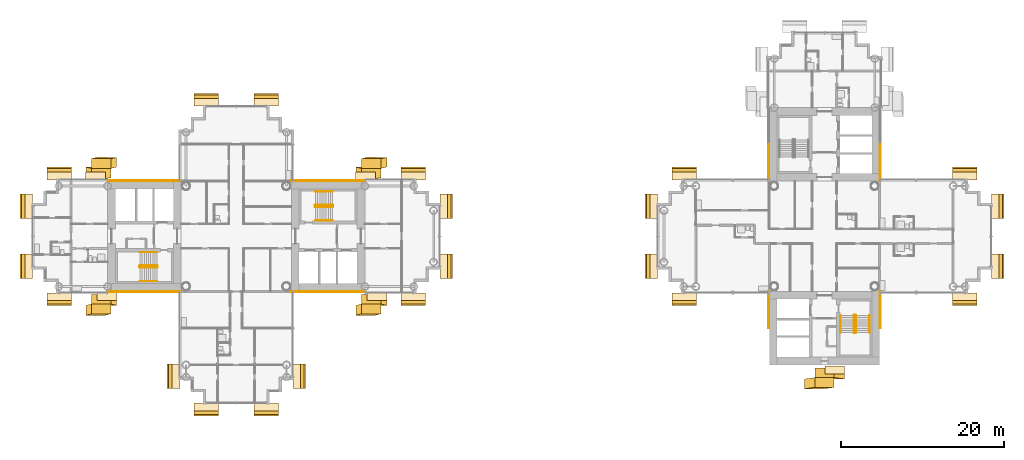
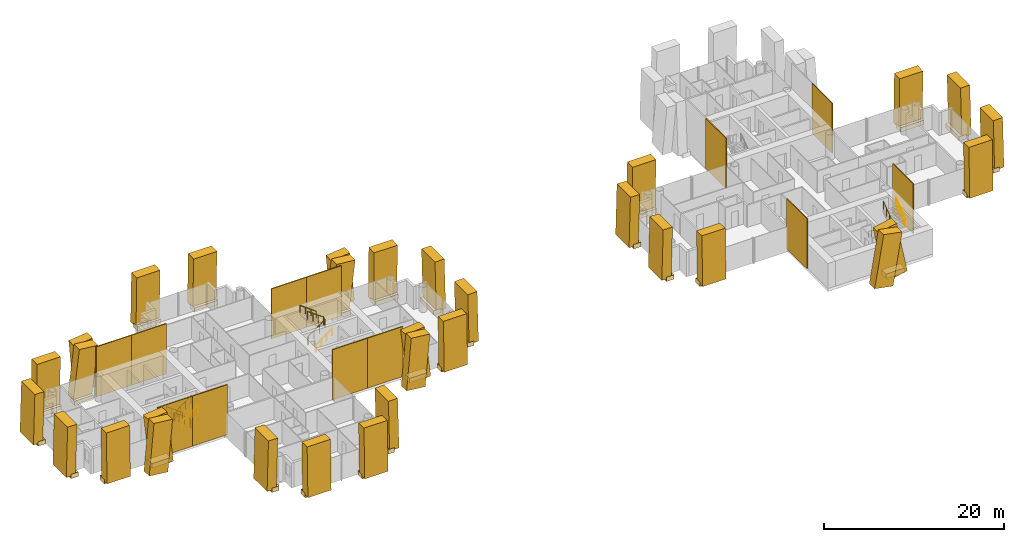
# One storey, part 19 of 21: 71 coverings, 9 railings.
"""IFC4 building model written with IfcOpenShell, lengths in metres."""

from ifc_helpers import new_model, si_unit, direction, frame, origin, origin_2d, place, context, subcontext, project, spatial, rectangle, circle, extrude, material, layer, layer_set, material_profile, profile_set, type_object, element, save


model = new_model("IFC4")

# Units and contexts
model_context = context("Model", 3, precision=1e-05, world=origin(), true_north=direction((0.0, 1.0)))
body_context = subcontext(model_context, "Body", "Model", "MODEL_VIEW")
ifc_project = project(units=[si_unit("LENGTHUNIT", "METRE"), si_unit("AREAUNIT", "SQUARE_METRE"), si_unit("VOLUMEUNIT", "CUBIC_METRE"), si_unit("PLANEANGLEUNIT", "RADIAN"), si_unit("MASSUNIT", "GRAM", prefix="KILO")], contexts=[model_context])

# Site, building, storey
site_placement = place(None, origin())
site = spatial("IfcSite", under=ifc_project, at=site_placement, CompositionType="ELEMENT")
building_placement = place(site_placement, origin())
building = spatial("IfcBuilding", under=site, at=building_placement, Name="Ipe Terrace Towers", CompositionType="ELEMENT")
storey_placement = place(building_placement, frame((0.0, 0.0, 93.60009765625)))
storey = spatial("IfcBuildingStorey", under=building, at=storey_placement, Name="L25", CompositionType="ELEMENT", Elevation=93.60009765625)

# Coverings
ifc_material_1 = material(Name="Concrete C50/60 precast, buff finish", Category="concrete")
ifc_layer = layer(ifc_material_1, 0.1201171875)
ifc_layer_set = layer_set([ifc_layer], Name="STONE CORE CLADDING 120")
covering_type_1 = type_object("IfcCoveringType", Name="STONE CORE CLADDING 120", PredefinedType="CLADDING", material=ifc_layer_set)
covering_1_placement = place(storey_placement, frame((-49.5009765625, -6.81005859375, 0.0), z_axis=(0.0, 0.0, 1.0), x_axis=(1.0, 0.0, 0.0)))
element("IfcCovering", 1, at=covering_1_placement, inside=storey, type_object=covering_type_1, Name="stone core cladding", PredefinedType="CLADDING", context=body_context, shape_type="SweptSolid", body=[
    extrude(rectangle(XDim=4.5009765625, YDim=0.1201171875, at=origin_2d()), origin(), (0.0, 0.0, 1.0), 6.800048828125),
])
covering_2_placement = place(storey_placement, frame((-45.0, -6.81005859375, 0.0), z_axis=(0.0, 0.0, 1.0), x_axis=(1.0, 0.0, 0.0)))
element("IfcCovering", 2, at=covering_2_placement, inside=storey, type_object=covering_type_1, Name="stone core cladding", PredefinedType="CLADDING", context=body_context, shape_type="SweptSolid", body=[
    extrude(rectangle(XDim=4.5, YDim=0.1201171875, at=origin_2d()), origin(), (0.0, 0.0, 1.0), 6.800048828125),
])
covering_3_placement = place(storey_placement, frame((-49.5009765625, 6.81005859375, 0.0), z_axis=(0.0, 0.0, 1.0), x_axis=(-1.0, 0.0, 0.0)))
element("IfcCovering", 3, at=covering_3_placement, inside=storey, type_object=covering_type_1, Name="stone core cladding", PredefinedType="CLADDING", context=body_context, shape_type="SweptSolid", body=[
    extrude(rectangle(XDim=4.5009765625, YDim=0.1201171875, at=origin_2d()), origin(), (0.0, 0.0, 1.0), 6.800048828125),
])
for number, where, z_axis, x_axis, name in (
    (4, (-45.0, 6.81005859375, 0.0), (0.0, 0.0, 1.0), (-1.0, 0.0, 0.0), "stone core cladding"),
    (5, (-27.0, -6.81005859375, 0.0), (0.0, 0.0, 1.0), (1.0, 0.0, 0.0), "stone core cladding"),
):
    element("IfcCovering", number, at=place(storey_placement, frame(where, z_axis=z_axis, x_axis=x_axis)), inside=storey, type_object=covering_type_1, Name=name, PredefinedType="CLADDING", context=body_context, shape_type="SweptSolid", body=[
        extrude(rectangle(XDim=4.5, YDim=0.1201171875, at=origin_2d()), origin(), (0.0, 0.0, 1.0), 6.800048828125),
    ])
covering_4_placement = place(storey_placement, frame((-22.4990234375, -6.81005859375, 0.0), z_axis=(0.0, 0.0, 1.0), x_axis=(1.0, 0.0, 0.0)))
element("IfcCovering", 6, at=covering_4_placement, inside=storey, type_object=covering_type_1, Name="stone core cladding", PredefinedType="CLADDING", context=body_context, shape_type="SweptSolid", body=[
    extrude(rectangle(XDim=4.5009765625, YDim=0.1201171875, at=origin_2d()), origin(), (0.0, 0.0, 1.0), 6.800048828125),
])
covering_5_placement = place(storey_placement, frame((-27.0, 6.81005859375, 0.0), z_axis=(0.0, 0.0, 1.0), x_axis=(-1.0, 0.0, 0.0)))
element("IfcCovering", 7, at=covering_5_placement, inside=storey, type_object=covering_type_1, Name="stone core cladding", PredefinedType="CLADDING", context=body_context, shape_type="SweptSolid", body=[
    extrude(rectangle(XDim=4.5, YDim=0.1201171875, at=origin_2d()), origin(), (0.0, 0.0, 1.0), 6.800048828125),
])
covering_6_placement = place(storey_placement, frame((-22.4990234375, 6.81005859375, 0.0), z_axis=(0.0, 0.0, 1.0), x_axis=(-1.0, 0.0, 0.0)))
element("IfcCovering", 8, at=covering_6_placement, inside=storey, type_object=covering_type_1, Name="stone core cladding", PredefinedType="CLADDING", context=body_context, shape_type="SweptSolid", body=[
    extrude(rectangle(XDim=4.5009765625, YDim=0.1201171875, at=origin_2d()), origin(), (0.0, 0.0, 1.0), 6.800048828125),
])
for number, where, z_axis, x_axis, name in (
    (9, (29.18994140625, -9.0, 0.0), (0.0, 0.0, 1.0), (0.0, -1.0, 0.0), "stone core cladding"),
    (10, (29.18994140625, 9.0, 0.0), (0.0, 0.0, 1.0), (0.0, -1.0, 0.0), "stone core cladding"),
    (11, (42.81005859375, -9.0, 0.0), (0.0, 0.0, 1.0), (0.0, 1.0, 0.0), "stone core cladding"),
    (12, (42.81005859375, 9.0, 0.0), (0.0, 0.0, 1.0), (0.0, 1.0, 0.0), "stone core cladding"),
):
    element("IfcCovering", number, at=place(storey_placement, frame(where, z_axis=z_axis, x_axis=x_axis)), inside=storey, type_object=covering_type_1, Name=name, PredefinedType="CLADDING", context=body_context, shape_type="SweptSolid", body=[
        extrude(rectangle(XDim=4.5, YDim=0.1201171875, at=origin_2d()), origin(), (0.0, 0.0, 1.0), 6.800048828125),
    ])
ifc_material_2 = material(Name="Concrete C50/60 precast, buff finish", Category="concrete")
ifc_material_profile_1 = material_profile(ifc_material_2, rectangle(XDim=2.39990234375, YDim=1.199951171875, at=origin_2d()), Name="STONE FIN 2400 x 1200")
ifc_profile_set_1 = profile_set([ifc_material_profile_1], Name="Concrete C50/60 precast, buff finish")
covering_type_2 = type_object("IfcCoveringType", Name="STONE FIN 2400 x 1200", PredefinedType="USERDEFINED", material=ifc_profile_set_1)
for number, where, z_axis, x_axis, name in (
    (13, (-20.176025390625, -9.072998046875, 0.0), (0.102504390775, 0.025313693159, 0.994410411656), (0.994732551931, -0.002608504855, -0.102471195126), "stone fin"),
    (14, (-20.176025390625, 7.873046875, 0.0), (0.102504390775, -0.025313693159, 0.994410411656), (-0.994732551931, -0.002608504855, 0.102471195126), "stone fin"),
    (15, (-18.77392578125, -7.873046875, 0.0), (-0.102539718816, 0.025313600502, 0.994406771746), (0.994728910842, 0.002609403875, 0.102506511726), "stone fin"),
    (16, (-18.77392578125, 9.072998046875, 0.0), (-0.102539718816, -0.025313600502, 0.994406771746), (-0.994728910842, 0.002609403875, -0.102506511726), "stone fin"),
    (17, (-53.22607421875, -9.072998046875, 0.0), (0.102539718816, 0.025313600502, 0.994406771746), (0.994728910842, -0.002609403875, -0.102506511726), "stone fin"),
    (18, (-53.22607421875, 7.873046875, 0.0), (0.102539718816, -0.025313600502, 0.994406771746), (-0.994728910842, -0.002609403875, 0.102506511726), "stone fin"),
    (19, (-51.823974609375, -7.873046875, 0.0), (-0.102504390775, 0.025313693159, 0.994410411656), (0.994732551931, 0.002608504855, 0.102471195126), "stone fin"),
    (20, (-51.823974609375, 9.072998046875, 0.0), (-0.102504390775, -0.025313693159, 0.994410411656), (-0.994732551931, 0.002608504855, -0.102471195126), "stone fin"),
):
    element("IfcCovering", number, at=place(storey_placement, frame(where, z_axis=z_axis, x_axis=x_axis)), inside=storey, type_object=covering_type_2, Name=name, ObjectType="FIN", PredefinedType="USERDEFINED", context=body_context, shape_type="SweptSolid", body=[
        extrude(rectangle(XDim=2.39990234375, YDim=1.199951171875, at=origin_2d()), origin(), (0.0, 0.0, 1.0), 6.838134765625),
    ])
for number, where, z_axis, x_axis, name in (
    (21, (37.26708984375, -16.873046875, 0.0), (-0.183131432574, 0.02501737682, 0.982770069376), (0.98308843875, 0.004660280671, 0.183072126171), "stone fin"),
    (22, (34.73291015625, -18.072998046875, 0.0), (0.183131432574, 0.02501737682, 0.982770069376), (0.98308843875, -0.004660280671, -0.183072126171), "stone fin"),
):
    element("IfcCovering", number, at=place(storey_placement, frame(where, z_axis=z_axis, x_axis=x_axis)), inside=storey, type_object=covering_type_2, Name=name, ObjectType="FIN", PredefinedType="USERDEFINED", context=body_context, shape_type="SweptSolid", body=[
        extrude(rectangle(XDim=2.39990234375, YDim=1.199951171875, at=origin_2d()), origin(), (0.0, 0.0, 1.0), 6.9189453125),
    ])
ifc_material_3 = material(Name="Concrete C50/60 precast, buff finish", Category="concrete")
ifc_material_profile_2 = material_profile(ifc_material_3, rectangle(XDim=3.0, YDim=1.199951171875, at=origin_2d()), Name="STONE FIN CORNER 3000 x 1200")
ifc_profile_set_2 = profile_set([ifc_material_profile_2], Name="Concrete C50/60 precast, buff finish")
covering_type_3 = type_object("IfcCoveringType", Name="STONE FIN CORNER 3000 x 1200", PredefinedType="USERDEFINED", material=ifc_profile_set_2)
for number, where, z_axis, x_axis, name in (
    (23, (-10.126953125, -3.64990234375, 0.0), (-0.025447737796, 0.0, 0.999676153882), (0.0, 1.0, 0.0), "stone fin"),
    (24, (-10.126953125, 3.64990234375, 0.0), (-0.025447737796, 0.0, 0.999676153882), (0.0, 1.0, 0.0), "stone fin"),
    (25, (-14.35009765625, -7.873046875, 0.0), (0.0, 0.025447737796, 0.999676153882), (1.0, 0.0, 0.0), "stone fin"),
    (26, (-14.35009765625, 7.873046875, 0.0), (0.0, -0.025447737796, 0.999676153882), (-1.0, 0.0, 0.0), "stone fin"),
    (27, (-28.126953125, -17.14990234375, 0.0), (-0.025447737796, 0.0, 0.999676153882), (0.0, 1.0, 0.0), "stone fin"),
    (28, (-32.35009765625, -21.373046875, 0.0), (0.0, 0.025447737796, 0.999676153882), (1.0, 0.0, 0.0), "stone fin"),
    (29, (-32.35009765625, 16.873046875, 0.0), (0.0, -0.025447737796, 0.999676153882), (-1.0, 0.0, 0.0), "stone fin"),
    (30, (-39.64990234375, -21.373046875, 0.0), (0.0, 0.025447737796, 0.999676153882), (1.0, 0.0, 0.0), "stone fin"),
    (31, (-39.64990234375, 16.873046875, 0.0), (0.0, -0.025447737796, 0.999676153882), (-1.0, 0.0, 0.0), "stone fin"),
    (32, (-43.873046875, -17.14990234375, 0.0), (0.025447737796, 0.0, 0.999676153882), (0.0, -1.0, 0.0), "stone fin"),
    (33, (-57.64990234375, -7.873046875, 0.0), (0.0, 0.025447737796, 0.999676153882), (1.0, 0.0, 0.0), "stone fin"),
    (34, (-57.64990234375, 7.873046875, 0.0), (0.0, -0.025447737796, 0.999676153882), (-1.0, 0.0, 0.0), "stone fin"),
    (35, (-61.873046875, -3.64990234375, 0.0), (0.025447737796, 0.0, 0.999676153882), (0.0, -1.0, 0.0), "stone fin"),
    (36, (-61.873046875, 3.64990234375, 0.0), (0.025447737796, 0.0, 0.999676153882), (0.0, -1.0, 0.0), "stone fin"),
    (37, (14.626953125, -3.64990234375, 0.0), (0.025447737796, 0.0, 0.999676153882), (0.0, -1.0, 0.0), "stone fin"),
    (38, (14.626953125, 3.64990234375, 0.0), (0.025447737796, 0.0, 0.999676153882), (0.0, -1.0, 0.0), "stone fin"),
    (39, (18.85009765625, -7.873046875, 0.0), (0.0, 0.025447737796, 0.999676153882), (1.0, 0.0, 0.0), "stone fin"),
    (40, (18.85009765625, 7.873046875, 0.0), (0.0, -0.025447737796, 0.999676153882), (-1.0, 0.0, 0.0), "stone fin"),
    (41, (53.14990234375, -7.873046875, 0.0), (0.0, 0.025447737796, 0.999676153882), (1.0, 0.0, 0.0), "stone fin"),
    (42, (53.14990234375, 7.873046875, 0.0), (0.0, -0.025447737796, 0.999676153882), (-1.0, 0.0, 0.0), "stone fin"),
    (43, (57.373046875, -3.64990234375, 0.0), (-0.025447737796, 0.0, 0.999676153882), (0.0, 1.0, 0.0), "stone fin"),
    (44, (57.373046875, 3.64990234375, 0.0), (-0.025447737796, 0.0, 0.999676153882), (0.0, 1.0, 0.0), "stone fin"),
):
    element("IfcCovering", number, at=place(storey_placement, frame(where, z_axis=z_axis, x_axis=x_axis)), inside=storey, type_object=covering_type_3, Name=name, ObjectType="FIN", PredefinedType="USERDEFINED", context=body_context, shape_type="SweptSolid", body=[
        extrude(rectangle(XDim=3.0, YDim=1.199951171875, at=origin_2d()), origin(), (0.0, 0.0, 1.0), 6.802001953125),
    ])
ifc_material_4 = material(Name="Concrete C50/60 precast, buff finish", Category="concrete")
covering_type_4 = type_object("IfcCoveringType", Name="STONE FIN SHELF 2400 x 600", PredefinedType="CLADDING", material=ifc_material_4)
covering_7_placement = place(storey_placement, frame((-20.176025390625, 7.366943359375, -0.35009765625), z_axis=(0.0, 0.0, 1.0), x_axis=(-1.0, 0.0, 0.0)))
element("IfcCovering", 45, at=covering_7_placement, inside=storey, type_object=covering_type_4, Name="stone fin shelf", PredefinedType="CLADDING", context=body_context, shape_type="SweptSolid", body=[
    extrude(rectangle(XDim=2.39990234375, YDim=1.012939453125, at=origin_2d()), origin(), (0.0, 0.0, 1.0), 0.60009765625),
])
for number, where, z_axis, x_axis, name in (
    (46, (-18.77392578125, -7.39404296875, -0.35009765625), (0.0, 0.0, 1.0), (1.0, 0.0, 0.0), "stone fin shelf"),
    (47, (-53.22607421875, 7.39404296875, -0.35009765625), (0.0, 0.0, 1.0), (-1.0, 0.0, 0.0), "stone fin shelf"),
):
    element("IfcCovering", number, at=place(storey_placement, frame(where, z_axis=z_axis, x_axis=x_axis)), inside=storey, type_object=covering_type_4, Name=name, PredefinedType="CLADDING", context=body_context, shape_type="SweptSolid", body=[
        extrude(rectangle(XDim=2.39990234375, YDim=0.95703125, at=origin_2d()), origin(), (0.0, 0.0, 1.0), 0.60009765625),
    ])
for number, where, z_axis, x_axis, name in (
    (48, (-51.823974609375, -7.366943359375, -0.35009765625), (0.0, 0.0, 1.0), (1.0, 0.0, 0.0), "stone fin shelf"),
    (49, (37.26708984375, -16.366943359375, -0.35009765625), (0.0, 0.0, 1.0), (1.0, 0.0, 0.0), "stone fin shelf"),
):
    element("IfcCovering", number, at=place(storey_placement, frame(where, z_axis=z_axis, x_axis=x_axis)), inside=storey, type_object=covering_type_4, Name=name, PredefinedType="CLADDING", context=body_context, shape_type="SweptSolid", body=[
        extrude(rectangle(XDim=2.39990234375, YDim=1.012939453125, at=origin_2d()), origin(), (0.0, 0.0, 1.0), 0.60009765625),
    ])
ifc_material_5 = material(Name="Concrete C50/60 precast, buff finish", Category="concrete")
covering_type_5 = type_object("IfcCoveringType", Name="STONE FIN SHELF 3000 x 600", PredefinedType="CLADDING", material=ifc_material_5)
for number, where, z_axis, x_axis, name in (
    (50, (-10.60595703125, -3.64990234375, -0.35009765625), (0.0, 0.0, 1.0), (0.0, 1.0, 0.0), "stone fin shelf"),
    (51, (-10.60595703125, 3.64990234375, -0.35009765625), (0.0, 0.0, 1.0), (0.0, 1.0, 0.0), "stone fin shelf"),
    (52, (-14.35009765625, -7.39404296875, -0.35009765625), (0.0, 0.0, 1.0), (1.0, 0.0, 0.0), "stone fin shelf"),
    (53, (-14.35009765625, 7.39404296875, -0.35009765625), (0.0, 0.0, 1.0), (-1.0, 0.0, 0.0), "stone fin shelf"),
    (54, (-28.60498046875, -17.14990234375, -0.35009765625), (0.0, 0.0, 1.0), (0.0, 1.0, 0.0), "stone fin shelf"),
    (55, (-32.35009765625, -20.89501953125, -0.35009765625), (0.0, 0.0, 1.0), (1.0, 0.0, 0.0), "stone fin shelf"),
    (56, (-32.35009765625, 16.39501953125, -0.35009765625), (0.0, 0.0, 1.0), (-1.0, 0.0, 0.0), "stone fin shelf"),
    (57, (-39.64990234375, -20.89501953125, -0.35009765625), (0.0, 0.0, 1.0), (1.0, 0.0, 0.0), "stone fin shelf"),
    (58, (-39.64990234375, 16.39501953125, -0.35009765625), (0.0, 0.0, 1.0), (-1.0, 0.0, 0.0), "stone fin shelf"),
    (59, (-43.39501953125, -17.14990234375, -0.35009765625), (0.0, 0.0, 1.0), (0.0, -1.0, 0.0), "stone fin shelf"),
    (60, (-57.64990234375, -7.39404296875, -0.35009765625), (0.0, 0.0, 1.0), (1.0, 0.0, 0.0), "stone fin shelf"),
    (61, (-57.64990234375, 7.39404296875, -0.35009765625), (0.0, 0.0, 1.0), (-1.0, 0.0, 0.0), "stone fin shelf"),
    (62, (-61.39501953125, -3.64990234375, -0.35009765625), (0.0, 0.0, 1.0), (0.0, -1.0, 0.0), "stone fin shelf"),
    (63, (-61.39501953125, 3.64990234375, -0.35009765625), (0.0, 0.0, 1.0), (0.0, -1.0, 0.0), "stone fin shelf"),
    (64, (15.10595703125, -3.64990234375, -0.35009765625), (0.0, 0.0, 1.0), (0.0, -1.0, 0.0), "stone fin shelf"),
    (65, (15.10595703125, 3.64990234375, -0.35009765625), (0.0, 0.0, 1.0), (0.0, -1.0, 0.0), "stone fin shelf"),
    (66, (18.85009765625, -7.39404296875, -0.35009765625), (0.0, 0.0, 1.0), (1.0, 0.0, 0.0), "stone fin shelf"),
    (67, (18.85009765625, 7.39404296875, -0.35009765625), (0.0, 0.0, 1.0), (-1.0, 0.0, 0.0), "stone fin shelf"),
    (68, (53.14990234375, -7.39404296875, -0.35009765625), (0.0, 0.0, 1.0), (1.0, 0.0, 0.0), "stone fin shelf"),
    (69, (53.14990234375, 7.39404296875, -0.35009765625), (0.0, 0.0, 1.0), (-1.0, 0.0, 0.0), "stone fin shelf"),
    (70, (56.89501953125, -3.64990234375, -0.35009765625), (0.0, 0.0, 1.0), (0.0, 1.0, 0.0), "stone fin shelf"),
    (71, (56.89501953125, 3.64990234375, -0.35009765625), (0.0, 0.0, 1.0), (0.0, 1.0, 0.0), "stone fin shelf"),
):
    element("IfcCovering", number, at=place(storey_placement, frame(where, z_axis=z_axis, x_axis=x_axis)), inside=storey, type_object=covering_type_5, Name=name, PredefinedType="CLADDING", context=body_context, shape_type="SweptSolid", body=[
        extrude(rectangle(XDim=3.0, YDim=0.95703125, at=origin_2d()), origin(), (0.0, 0.0, 1.0), 0.60009765625),
    ])

# Railings
ifc_material_6 = material(Name="Steel S355", Category="steel")
railing_type_1 = type_object("IfcRailingType", Name="Stair guard 1100", PredefinedType="GUARDRAIL", material=ifc_material_6)
railing_1_placement = place(storey_placement, frame((-26.35009765625, 3.800048828125, 0.0)))
element("IfcRailing", 72, at=railing_1_placement, inside=storey, type_object=railing_type_1, Name="L25 T1-ST1 stair guard 1", PredefinedType="GUARDRAIL", context=body_context, shape_type="SweptSolid", body=[
    extrude(circle(Radius=0.02392578125, at=origin_2d()), frame((0.0, 0.0, 1.076171875), z_axis=(0.0, -1.0, 0.0), x_axis=(1.0, 0.0, 0.0)), (0.0, 0.0, 1.0), 0.150146484375),
    extrude(circle(Radius=0.02392578125, at=origin_2d()), frame((0.0, -0.150146484375, 1.076171875), z_axis=(0.248385422981, -0.247173786771, 0.936594790069), x_axis=(0.705375805398, 0.708833529934, 0.0)), (0.0, 0.0, 1.0), 0.201416015625),
    extrude(circle(Radius=0.02392578125, at=origin_2d()), frame((0.050048828125, -0.199951171875, 1.2646484375), z_axis=(0.809023421508, 0.0, 0.587776406001), x_axis=(0.0, 1.0, 0.0)), (0.0, 0.0, 1.0), 2.571044921875),
    extrude(circle(Radius=0.02392578125, at=origin_2d()), frame((2.130126953125, -0.199951171875, 2.77587890625), z_axis=(0.708833529934, 0.705375805398, 0.0), x_axis=(-0.705375805398, 0.708833529934, 0.0)), (0.0, 0.0, 1.0), 0.070556640625),
    extrude(circle(Radius=0.02392578125, at=origin_2d()), frame((2.18017578125, -0.150146484375, 2.77587890625), z_axis=(0.0, 1.0, 0.0), x_axis=(-1.0, 0.0, 0.0)), (0.0, 0.0, 1.0), 0.150146484375),
    extrude(circle(Radius=0.02392578125, at=origin_2d()), frame((2.18017578125, 0.0, 2.77587890625), z_axis=(-0.248310886586, 0.248310886586, 0.936313733321), x_axis=(-0.707106781187, -0.707106781187, 0.0)), (0.0, 0.0, 1.0), 0.20166015625),
    extrude(circle(Radius=0.02392578125, at=origin_2d()), frame((2.130126953125, 0.050048828125, 2.96484375), z_axis=(-0.809023421508, 0.0, 0.587776406001), x_axis=(0.0, -1.0, 0.0)), (0.0, 0.0, 1.0), 2.571044921875),
    extrude(circle(Radius=0.02099609375, at=origin_2d()), origin(), (0.0, 0.0, 1.0), 1.052001953125),
    extrude(circle(Radius=0.02099609375, at=origin_2d()), frame((0.0, -0.150146484375, 0.0)), (0.0, 0.0, 1.0), 1.052001953125),
    extrude(circle(Radius=0.02099609375, at=origin_2d()), frame((0.050048828125, -0.199951171875, 0.188720703125)), (0.0, 0.0, 1.0), 1.052001953125),
    extrude(circle(Radius=0.02099609375, at=origin_2d()), frame((0.743408203125, -0.199951171875, 0.6923828125)), (0.0, 0.0, 1.0), 1.052001953125),
    extrude(circle(Radius=0.02099609375, at=origin_2d()), frame((1.436767578125, -0.199951171875, 1.1962890625)), (0.0, 0.0, 1.0), 1.052001953125),
    extrude(circle(Radius=0.02099609375, at=origin_2d()), frame((2.130126953125, -0.199951171875, 1.699951171875)), (0.0, 0.0, 1.0), 1.052001953125),
    extrude(circle(Radius=0.02099609375, at=origin_2d()), frame((2.18017578125, -0.150146484375, 1.699951171875)), (0.0, 0.0, 1.0), 1.052001953125),
    extrude(circle(Radius=0.02099609375, at=origin_2d()), frame((2.18017578125, 0.0, 1.699951171875)), (0.0, 0.0, 1.0), 1.052001953125),
    extrude(circle(Radius=0.02099609375, at=origin_2d()), frame((2.130126953125, 0.050048828125, 1.888671875)), (0.0, 0.0, 1.0), 1.052001953125),
    extrude(circle(Radius=0.02099609375, at=origin_2d()), frame((1.436767578125, 0.050048828125, 2.392333984375)), (0.0, 0.0, 1.0), 1.052001953125),
    extrude(circle(Radius=0.02099609375, at=origin_2d()), frame((0.743408203125, 0.050048828125, 2.896240234375)), (0.0, 0.0, 1.0), 1.052001953125),
    extrude(circle(Radius=0.02099609375, at=origin_2d()), frame((0.050048828125, 0.050048828125, 3.39990234375)), (0.0, 0.0, 1.0), 1.052001953125),
])
railing_2_placement = place(storey_placement, frame((-45.64990234375, -3.800048828125, 0.0)))
element("IfcRailing", 73, at=railing_2_placement, inside=storey, type_object=railing_type_1, Name="L25 T1-ST2 stair guard 1", PredefinedType="GUARDRAIL", context=body_context, shape_type="SweptSolid", body=[
    extrude(circle(Radius=0.02392578125, at=origin_2d()), frame((0.0, 0.0, 1.076171875), z_axis=(0.0, 1.0, 0.0), x_axis=(-1.0, 0.0, 0.0)), (0.0, 0.0, 1.0), 0.150146484375),
    extrude(circle(Radius=0.02392578125, at=origin_2d()), frame((0.0, 0.150146484375, 1.076171875), z_axis=(-0.248385422981, 0.247173786771, 0.936594790069), x_axis=(-0.705375805398, -0.708833529934, 0.0)), (0.0, 0.0, 1.0), 0.201416015625),
    extrude(circle(Radius=0.02392578125, at=origin_2d()), frame((-0.050048828125, 0.199951171875, 1.2646484375), z_axis=(-0.809023421508, 0.0, 0.587776406001), x_axis=(0.0, -1.0, 0.0)), (0.0, 0.0, 1.0), 2.571044921875),
    extrude(circle(Radius=0.02392578125, at=origin_2d()), frame((-2.130126953125, 0.199951171875, 2.77587890625), z_axis=(-0.708833529934, -0.705375805398, 0.0), x_axis=(0.705375805398, -0.708833529934, 0.0)), (0.0, 0.0, 1.0), 0.070556640625),
    extrude(circle(Radius=0.02392578125, at=origin_2d()), frame((-2.18017578125, 0.150146484375, 2.77587890625), z_axis=(0.0, -1.0, 0.0), x_axis=(1.0, 0.0, 0.0)), (0.0, 0.0, 1.0), 0.150146484375),
    extrude(circle(Radius=0.02392578125, at=origin_2d()), frame((-2.18017578125, 0.0, 2.77587890625), z_axis=(0.248310886586, -0.248310886586, 0.936313733321), x_axis=(0.707106781187, 0.707106781187, 0.0)), (0.0, 0.0, 1.0), 0.20166015625),
    extrude(circle(Radius=0.02392578125, at=origin_2d()), frame((-2.130126953125, -0.050048828125, 2.96484375), z_axis=(0.809023421508, 0.0, 0.587776406001), x_axis=(0.0, 1.0, 0.0)), (0.0, 0.0, 1.0), 2.571044921875),
    extrude(circle(Radius=0.02099609375, at=origin_2d()), origin(), (0.0, 0.0, 1.0), 1.052001953125),
    extrude(circle(Radius=0.02099609375, at=origin_2d()), frame((0.0, 0.150146484375, 0.0)), (0.0, 0.0, 1.0), 1.052001953125),
    extrude(circle(Radius=0.02099609375, at=origin_2d()), frame((-0.050048828125, 0.199951171875, 0.188720703125)), (0.0, 0.0, 1.0), 1.052001953125),
    extrude(circle(Radius=0.02099609375, at=origin_2d()), frame((-0.743408203125, 0.199951171875, 0.6923828125)), (0.0, 0.0, 1.0), 1.052001953125),
    extrude(circle(Radius=0.02099609375, at=origin_2d()), frame((-1.436767578125, 0.199951171875, 1.1962890625)), (0.0, 0.0, 1.0), 1.052001953125),
    extrude(circle(Radius=0.02099609375, at=origin_2d()), frame((-2.130126953125, 0.199951171875, 1.699951171875)), (0.0, 0.0, 1.0), 1.052001953125),
    extrude(circle(Radius=0.02099609375, at=origin_2d()), frame((-2.18017578125, 0.150146484375, 1.699951171875)), (0.0, 0.0, 1.0), 1.052001953125),
    extrude(circle(Radius=0.02099609375, at=origin_2d()), frame((-2.18017578125, 0.0, 1.699951171875)), (0.0, 0.0, 1.0), 1.052001953125),
    extrude(circle(Radius=0.02099609375, at=origin_2d()), frame((-2.130126953125, -0.050048828125, 1.888671875)), (0.0, 0.0, 1.0), 1.052001953125),
    extrude(circle(Radius=0.02099609375, at=origin_2d()), frame((-1.436767578125, -0.050048828125, 2.392333984375)), (0.0, 0.0, 1.0), 1.052001953125),
    extrude(circle(Radius=0.02099609375, at=origin_2d()), frame((-0.743408203125, -0.050048828125, 2.896240234375)), (0.0, 0.0, 1.0), 1.052001953125),
    extrude(circle(Radius=0.02099609375, at=origin_2d()), frame((-0.050048828125, -0.050048828125, 3.39990234375)), (0.0, 0.0, 1.0), 1.052001953125),
])
railing_3_placement = place(storey_placement, frame((39.800048828125, -9.64990234375, 0.0)))
element("IfcRailing", 74, at=railing_3_placement, inside=storey, type_object=railing_type_1, Name="L25 T2-ST2 stair guard 1", PredefinedType="GUARDRAIL", context=body_context, shape_type="SweptSolid", body=[
    extrude(circle(Radius=0.02392578125, at=origin_2d()), frame((0.0, 0.0, 1.076171875), z_axis=(-1.0, 0.0, 0.0), x_axis=(0.0, -1.0, 0.0)), (0.0, 0.0, 1.0), 0.150146484375),
    extrude(circle(Radius=0.02392578125, at=origin_2d()), frame((-0.150146484375, 0.0, 1.076171875), z_axis=(-0.247173786771, -0.248385422981, 0.936594790069), x_axis=(0.708833529934, -0.705375805398, 0.0)), (0.0, 0.0, 1.0), 0.201416015625),
    extrude(circle(Radius=0.02392578125, at=origin_2d()), frame((-0.199951171875, -0.050048828125, 1.2646484375), z_axis=(0.0, -0.809023421508, 0.587776406001), x_axis=(1.0, 0.0, 0.0)), (0.0, 0.0, 1.0), 2.571044921875),
    extrude(circle(Radius=0.02392578125, at=origin_2d()), frame((-0.199951171875, -2.130126953125, 2.77587890625), z_axis=(0.705375805398, -0.708833529934, 0.0), x_axis=(0.708833529934, 0.705375805398, 0.0)), (0.0, 0.0, 1.0), 0.070556640625),
    extrude(circle(Radius=0.02392578125, at=origin_2d()), frame((-0.150146484375, -2.18017578125, 2.77587890625), z_axis=(1.0, 0.0, 0.0), x_axis=(0.0, 1.0, 0.0)), (0.0, 0.0, 1.0), 0.150146484375),
    extrude(circle(Radius=0.02392578125, at=origin_2d()), frame((0.0, -2.18017578125, 2.77587890625), z_axis=(0.248310886586, 0.248310886586, 0.936313733321), x_axis=(-0.707106781187, 0.707106781187, 0.0)), (0.0, 0.0, 1.0), 0.20166015625),
    extrude(circle(Radius=0.02392578125, at=origin_2d()), frame((0.050048828125, -2.130126953125, 2.96484375), z_axis=(0.0, 0.809023421508, 0.587776406001), x_axis=(-1.0, 0.0, 0.0)), (0.0, 0.0, 1.0), 2.571044921875),
    extrude(circle(Radius=0.02099609375, at=origin_2d()), origin(), (0.0, 0.0, 1.0), 1.052001953125),
    extrude(circle(Radius=0.02099609375, at=origin_2d()), frame((-0.150146484375, 0.0, 0.0)), (0.0, 0.0, 1.0), 1.052001953125),
    extrude(circle(Radius=0.02099609375, at=origin_2d()), frame((-0.199951171875, -0.050048828125, 0.188720703125)), (0.0, 0.0, 1.0), 1.052001953125),
    extrude(circle(Radius=0.02099609375, at=origin_2d()), frame((-0.199951171875, -0.743408203125, 0.6923828125)), (0.0, 0.0, 1.0), 1.052001953125),
    extrude(circle(Radius=0.02099609375, at=origin_2d()), frame((-0.199951171875, -1.436767578125, 1.1962890625)), (0.0, 0.0, 1.0), 1.052001953125),
    extrude(circle(Radius=0.02099609375, at=origin_2d()), frame((-0.199951171875, -2.130126953125, 1.699951171875)), (0.0, 0.0, 1.0), 1.052001953125),
    extrude(circle(Radius=0.02099609375, at=origin_2d()), frame((-0.150146484375, -2.18017578125, 1.699951171875)), (0.0, 0.0, 1.0), 1.052001953125),
    extrude(circle(Radius=0.02099609375, at=origin_2d()), frame((0.0, -2.18017578125, 1.699951171875)), (0.0, 0.0, 1.0), 1.052001953125),
    extrude(circle(Radius=0.02099609375, at=origin_2d()), frame((0.050048828125, -2.130126953125, 1.888671875)), (0.0, 0.0, 1.0), 1.052001953125),
    extrude(circle(Radius=0.02099609375, at=origin_2d()), frame((0.050048828125, -1.436767578125, 2.392333984375)), (0.0, 0.0, 1.0), 1.052001953125),
    extrude(circle(Radius=0.02099609375, at=origin_2d()), frame((0.050048828125, -0.743408203125, 2.896240234375)), (0.0, 0.0, 1.0), 1.052001953125),
    extrude(circle(Radius=0.02099609375, at=origin_2d()), frame((0.050048828125, -0.050048828125, 3.39990234375)), (0.0, 0.0, 1.0), 1.052001953125),
])
ifc_material_7 = material(Name="Stainless steel grade 304", Category="steel")
railing_type_2 = type_object("IfcRailingType", Name="Stair handrail 900", PredefinedType="HANDRAIL", material=ifc_material_7)
railing_4_placement = place(storey_placement, frame((-26.300048828125, 1.949951171875, 0.188720703125)))
element("IfcRailing", 75, at=railing_4_placement, inside=storey, type_object=railing_type_2, Name="L25 T1-ST1 stair handrail 1", PredefinedType="HANDRAIL", context=body_context, shape_type="SweptSolid", body=[
    extrude(circle(Radius=0.02392578125, at=origin_2d()), frame((0.0, 0.0, 0.8759765625), z_axis=(0.809023421508, 0.0, 0.587776406001), x_axis=(0.0, 1.0, 0.0)), (0.0, 0.0, 1.0), 2.571044921875),
    extrude(circle(Radius=0.02099609375, at=origin_2d()), origin(), (0.0, 0.0, 1.0), 0.851806640625),
    extrude(circle(Radius=0.02099609375, at=origin_2d()), frame((0.693359375, 0.0, 0.503662109375)), (0.0, 0.0, 1.0), 0.851806640625),
    extrude(circle(Radius=0.02099609375, at=origin_2d()), frame((1.38671875, 0.0, 1.007568359375)), (0.0, 0.0, 1.0), 0.851806640625),
    extrude(circle(Radius=0.02099609375, at=origin_2d()), frame((2.080078125, 0.0, 1.51123046875)), (0.0, 0.0, 1.0), 0.851806640625),
])
for number, where, name in (
    (76, (-24.219970703125, 5.5, 1.888671875), "L25 T1-ST1 stair handrail 2"),
    (77, (-45.699951171875, -1.949951171875, 0.188720703125), "L25 T1-ST2 stair handrail 1"),
):
    element("IfcRailing", number, at=place(storey_placement, frame(where)), inside=storey, type_object=railing_type_2, Name=name, PredefinedType="HANDRAIL", context=body_context, shape_type="SweptSolid", body=[
        extrude(circle(Radius=0.02392578125, at=origin_2d()), frame((0.0, 0.0, 0.8759765625), z_axis=(-0.809023421508, 0.0, 0.587776406001), x_axis=(0.0, -1.0, 0.0)), (0.0, 0.0, 1.0), 2.571044921875),
        extrude(circle(Radius=0.02099609375, at=origin_2d()), origin(), (0.0, 0.0, 1.0), 0.851806640625),
        extrude(circle(Radius=0.02099609375, at=origin_2d()), frame((-0.693359375, 0.0, 0.503662109375)), (0.0, 0.0, 1.0), 0.851806640625),
        extrude(circle(Radius=0.02099609375, at=origin_2d()), frame((-1.38671875, 0.0, 1.007568359375)), (0.0, 0.0, 1.0), 0.851806640625),
        extrude(circle(Radius=0.02099609375, at=origin_2d()), frame((-2.080078125, 0.0, 1.51123046875)), (0.0, 0.0, 1.0), 0.851806640625),
    ])
railing_5_placement = place(storey_placement, frame((-47.780029296875, -5.5, 1.888671875)))
element("IfcRailing", 78, at=railing_5_placement, inside=storey, type_object=railing_type_2, Name="L25 T1-ST2 stair handrail 2", PredefinedType="HANDRAIL", context=body_context, shape_type="SweptSolid", body=[
    extrude(circle(Radius=0.02392578125, at=origin_2d()), frame((0.0, 0.0, 0.8759765625), z_axis=(0.809023421508, 0.0, 0.587776406001), x_axis=(0.0, 1.0, 0.0)), (0.0, 0.0, 1.0), 2.571044921875),
    extrude(circle(Radius=0.02099609375, at=origin_2d()), origin(), (0.0, 0.0, 1.0), 0.851806640625),
    extrude(circle(Radius=0.02099609375, at=origin_2d()), frame((0.693359375, 0.0, 0.503662109375)), (0.0, 0.0, 1.0), 0.851806640625),
    extrude(circle(Radius=0.02099609375, at=origin_2d()), frame((1.38671875, 0.0, 1.007568359375)), (0.0, 0.0, 1.0), 0.851806640625),
    extrude(circle(Radius=0.02099609375, at=origin_2d()), frame((2.080078125, 0.0, 1.51123046875)), (0.0, 0.0, 1.0), 0.851806640625),
])
railing_6_placement = place(storey_placement, frame((37.949951171875, -9.699951171875, 0.188720703125)))
element("IfcRailing", 79, at=railing_6_placement, inside=storey, type_object=railing_type_2, Name="L25 T2-ST2 stair handrail 1", PredefinedType="HANDRAIL", context=body_context, shape_type="SweptSolid", body=[
    extrude(circle(Radius=0.02392578125, at=origin_2d()), frame((0.0, 0.0, 0.8759765625), z_axis=(0.0, -0.809023421508, 0.587776406001), x_axis=(1.0, 0.0, 0.0)), (0.0, 0.0, 1.0), 2.571044921875),
    extrude(circle(Radius=0.02099609375, at=origin_2d()), origin(), (0.0, 0.0, 1.0), 0.851806640625),
    extrude(circle(Radius=0.02099609375, at=origin_2d()), frame((0.0, -0.693359375, 0.503662109375)), (0.0, 0.0, 1.0), 0.851806640625),
    extrude(circle(Radius=0.02099609375, at=origin_2d()), frame((0.0, -1.38671875, 1.007568359375)), (0.0, 0.0, 1.0), 0.851806640625),
    extrude(circle(Radius=0.02099609375, at=origin_2d()), frame((0.0, -2.080078125, 1.51123046875)), (0.0, 0.0, 1.0), 0.851806640625),
])
railing_7_placement = place(storey_placement, frame((41.5, -11.780029296875, 1.888671875)))
element("IfcRailing", 80, at=railing_7_placement, inside=storey, type_object=railing_type_2, Name="L25 T2-ST2 stair handrail 2", PredefinedType="HANDRAIL", context=body_context, shape_type="SweptSolid", body=[
    extrude(circle(Radius=0.02392578125, at=origin_2d()), frame((0.0, 0.0, 0.8759765625), z_axis=(0.0, 0.809023421508, 0.587776406001), x_axis=(-1.0, 0.0, 0.0)), (0.0, 0.0, 1.0), 2.571044921875),
    extrude(circle(Radius=0.02099609375, at=origin_2d()), origin(), (0.0, 0.0, 1.0), 0.851806640625),
    extrude(circle(Radius=0.02099609375, at=origin_2d()), frame((0.0, 0.693359375, 0.503662109375)), (0.0, 0.0, 1.0), 0.851806640625),
    extrude(circle(Radius=0.02099609375, at=origin_2d()), frame((0.0, 1.38671875, 1.007568359375)), (0.0, 0.0, 1.0), 0.851806640625),
    extrude(circle(Radius=0.02099609375, at=origin_2d()), frame((0.0, 2.080078125, 1.51123046875)), (0.0, 0.0, 1.0), 0.851806640625),
])

save(model, "model.ifc")
